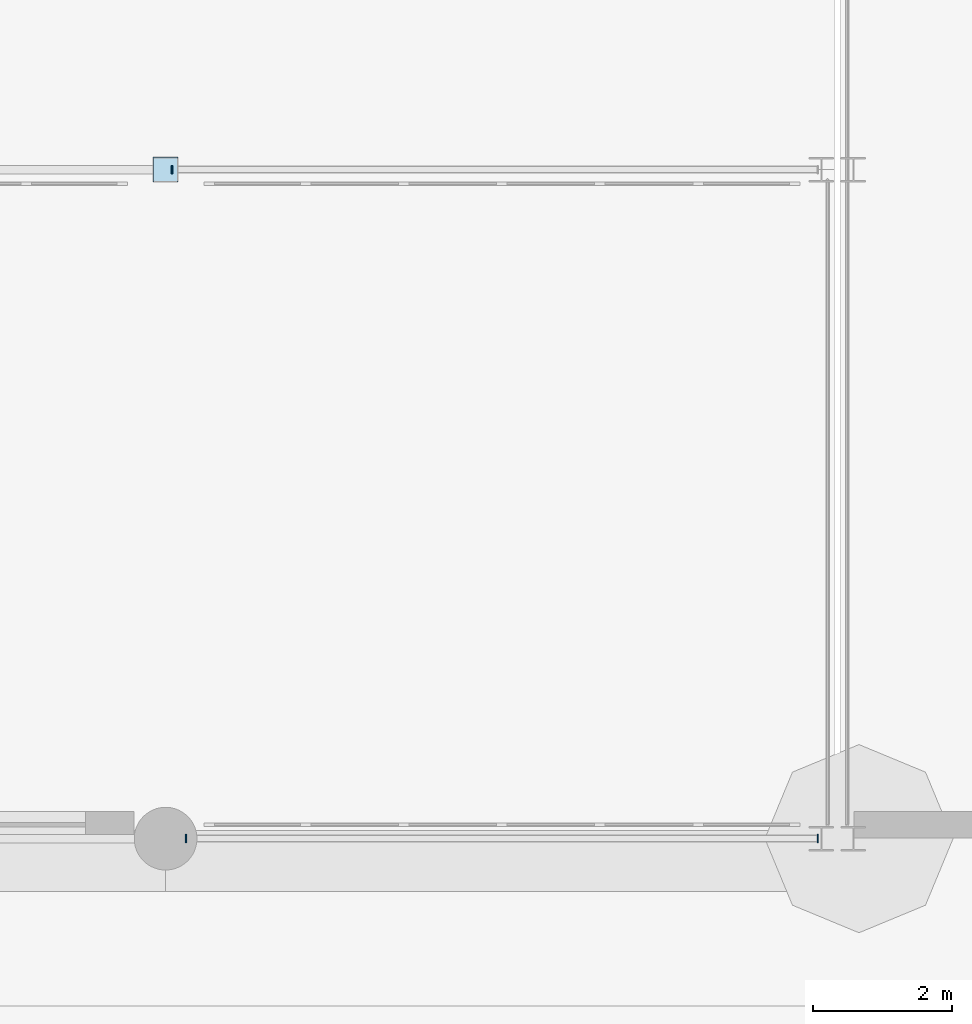
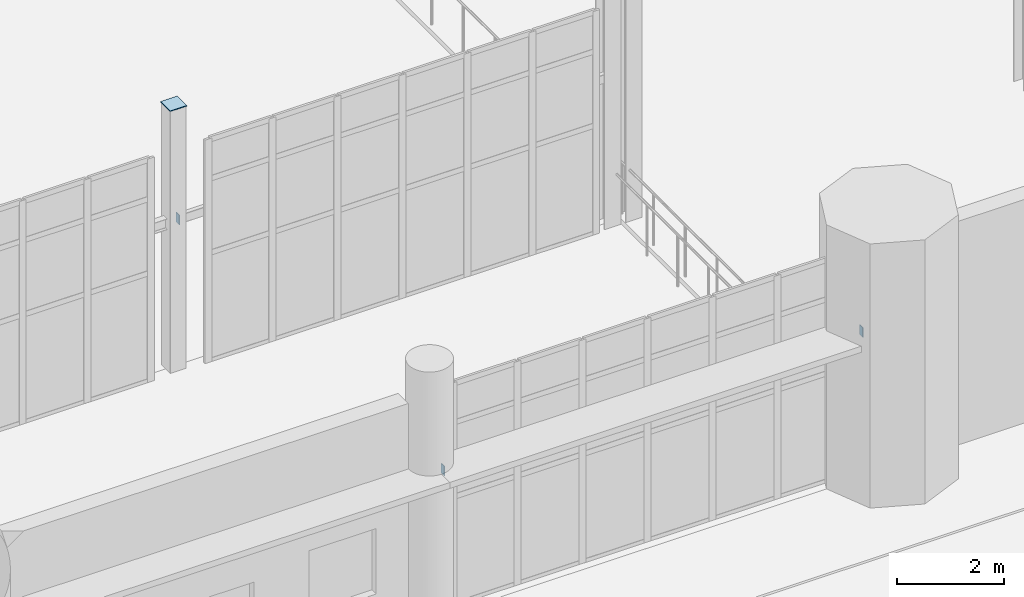
# One storey, part 97 of 139: 4 plates.
"""IFC4 building model written with IfcOpenShell, lengths in metres."""

from ifc_helpers import new_model, si_unit, direction, frame, origin, origin_2d, place, context, subcontext, project, spatial, rectangle, extrude, material, layer, layer_set, type_object, element, save


model = new_model("IFC4")

# Units and contexts
model_context = context("Model", 3, precision=1e-05, world=origin(), true_north=direction((0.0, 1.0)))
body_context = subcontext(model_context, "Body", "Model", "MODEL_VIEW")
ifc_project = project(units=[si_unit("LENGTHUNIT", "METRE"), si_unit("AREAUNIT", "SQUARE_METRE"), si_unit("VOLUMEUNIT", "CUBIC_METRE"), si_unit("PLANEANGLEUNIT", "RADIAN"), si_unit("MASSUNIT", "GRAM", prefix="KILO")], contexts=[model_context])

# Site, building, storey
site_placement = place(None, origin())
site = spatial("IfcSite", under=ifc_project, at=site_placement, CompositionType="ELEMENT")
building_placement = place(site_placement, origin())
building = spatial("IfcBuilding", under=site, at=building_placement, Name="Yeouljin Market Hall", CompositionType="ELEMENT")
storey_placement = place(building_placement, origin())
storey = spatial("IfcBuildingStorey", under=building, at=storey_placement, Name="L00", CompositionType="ELEMENT", Elevation=0.0)

# Plates
ifc_material_1 = material(Name="Steel SM355", Category="steel")
ifc_layer_1 = layer(ifc_material_1, 0.01611328125)
ifc_layer_set_1 = layer_set([ifc_layer_1], Name="Steel SM355")
plate_type_1 = type_object("IfcPlateType", Name="CapPlate_220x120x16", PredefinedType="SHEET", material=ifc_layer_set_1)
for number, where, z_axis, x_axis, name in (
    (1, (131.491943359375, 9.60009765625, 3.240234375), (0.0, 0.0, 1.0), (0.0, 1.0, 0.0), "Portal lintel end-cap plate 06-W"),
    (2, (131.69189453125, 0.0, 3.240234375), (0.0, 0.0, 1.0), (0.0, 1.0, 0.0), "Portal lintel end-cap plate 12-W"),
    (3, (140.758056640625, 0.0, 3.240234375), (0.0, 0.0, 1.0), (0.0, 1.0, 0.0), "Portal lintel end-cap plate 12-E"),
):
    element("IfcPlate", number, at=place(storey_placement, frame(where, z_axis=z_axis, x_axis=x_axis)), inside=storey, type_object=plate_type_1, Name=name, PredefinedType="SHEET", context=body_context, shape_type="SweptSolid", body=[
        extrude(rectangle(XDim=0.1201171875, YDim=0.01611328125, at=origin_2d()), origin(), (0.0, 0.0, 1.0), 0.219970703125),
    ])
ifc_material_2 = material(Name="Steel SM355", Category="steel")
ifc_layer_2 = layer(ifc_material_2, 0.01611328125)
ifc_layer_set_2 = layer_set([ifc_layer_2], Name="Steel SM355")
plate_type_2 = type_object("IfcPlateType", Name="CapPlate_360x360x16", PredefinedType="SHEET", material=ifc_layer_set_2)
plate_placement = place(storey_placement, frame((131.39990234375, 9.60009765625, 6.0), z_axis=(0.0, 0.0, 1.0), x_axis=(1.0, 0.0, 0.0)))
element("IfcPlate", 4, at=plate_placement, inside=storey, type_object=plate_type_2, Name="Hollow column top cap plate G-15-01 (L00)", PredefinedType="SHEET", context=body_context, shape_type="SweptSolid", body=[
    extrude(rectangle(XDim=0.360107421875, YDim=0.360107421875, at=origin_2d()), origin(), (0.0, 0.0, 1.0), 0.01611328125),
])

save(model, "model.ifc")
